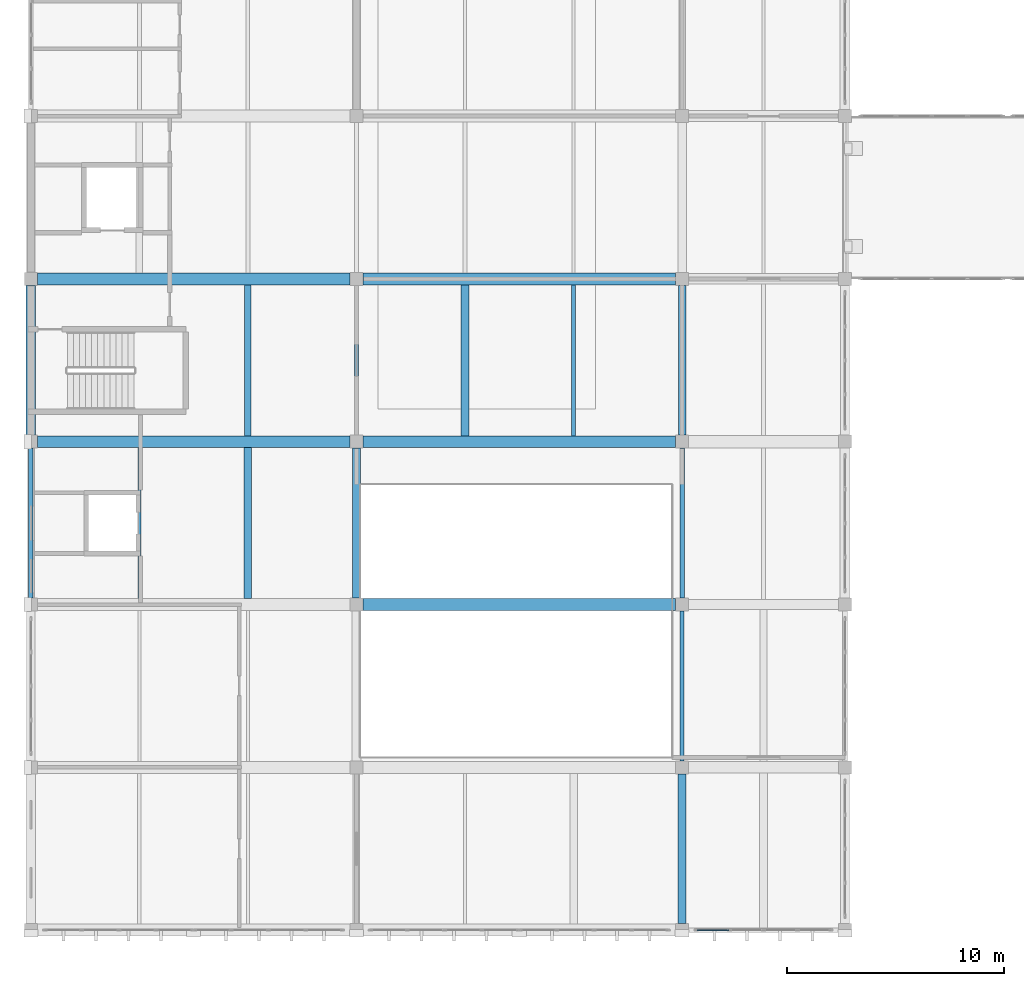
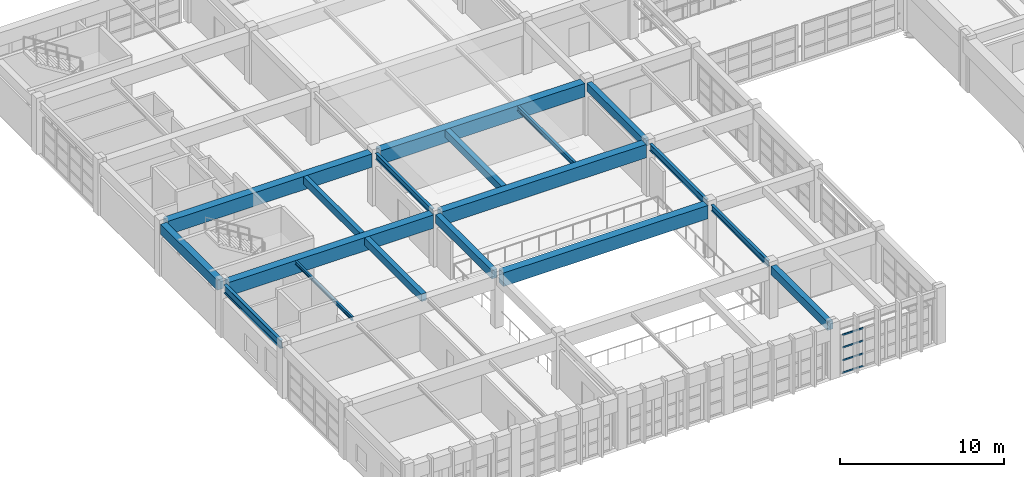
# One storey, part 6 of 124: 18 beams, 4 members, 1 element without a shape of its own.
"""IFC4 building model written with IfcOpenShell, lengths in metres."""

from ifc_helpers import new_model, si_unit, direction, frame, origin, origin_2d, place, context, subcontext, project, spatial, rectangle, hollow_rectangle, i_section, extrude, material, material_profile, profile_set, type_object, element, aggregate, save


model = new_model("IFC4")

# Units and contexts
model_context = context("Model", 3, precision=1e-05, world=origin(), true_north=direction((0.0, 1.0)))
body_context = subcontext(model_context, "Body", "Model", "MODEL_VIEW")
ifc_project = project(units=[si_unit("LENGTHUNIT", "METRE"), si_unit("AREAUNIT", "SQUARE_METRE"), si_unit("VOLUMEUNIT", "CUBIC_METRE"), si_unit("PLANEANGLEUNIT", "RADIAN"), si_unit("MASSUNIT", "GRAM", prefix="KILO")], contexts=[model_context])

# Site, building, storey
site_placement = place(None, origin())
site = spatial("IfcSite", under=ifc_project, at=site_placement, CompositionType="ELEMENT")
building_placement = place(site_placement, origin())
building = spatial("IfcBuilding", under=site, at=building_placement, Name="Qasida Concert Hall", CompositionType="ELEMENT")
storey_placement = place(building_placement, frame((0.0, 0.0, 9.0)))
storey = spatial("IfcBuildingStorey", under=building, at=storey_placement, Name="L02", CompositionType="ELEMENT", Elevation=9.0)

# Beams
ifc_material_1 = material(Name="Concrete C40/50", Category="concrete")
ifc_material_profile_1 = material_profile(ifc_material_1, rectangle(XDim=0.3798828125, YDim=0.6201171875, at=origin_2d()), Name="RC 380x620")
ifc_profile_set_1 = profile_set([ifc_material_profile_1], Name="Concrete C40/50")
beam_type_1 = type_object("IfcBeamType", Name="BM-B10", PredefinedType="BEAM", material=ifc_profile_set_1)
for number, where, z_axis, x_axis, name in (
    (1, (15.0, 15.300048828125, 3.590087890625), (0.0, 1.0, 0.0), (-1.0, 0.0, 0.0), "L02 girder 1302"),
    (2, (30.0, 0.300048828125, 3.590087890625), (0.0, 1.0, 0.0), (-1.0, 0.0, 0.0), "L02 girder 1307"),
):
    element("IfcBeam", number, at=place(storey_placement, frame(where, z_axis=z_axis, x_axis=x_axis)), inside=storey, type_object=beam_type_1, Name=name, PredefinedType="BEAM", context=body_context, shape_type="SweptSolid", body=[
        extrude(rectangle(XDim=0.3798828125, YDim=0.6201171875, at=origin_2d()), origin(), (0.0, 0.0, 1.0), 6.89990234375),
    ])
ifc_material_profile_2 = material_profile(ifc_material_1, rectangle(XDim=0.35009765625, YDim=0.60009765625, at=origin_2d()), Name="RC 350x600")
ifc_profile_set_2 = profile_set([ifc_material_profile_2], Name="Concrete C40/50")
beam_type_2 = type_object("IfcBeamType", Name="BM-B2", PredefinedType="BEAM", material=ifc_profile_set_2)
beam_1_placement = place(storey_placement, frame((30.0, 22.800048828125, 3.60009765625), z_axis=(0.0, 1.0, 0.0), x_axis=(-1.0, 0.0, 0.0)))
element("IfcBeam", 3, at=beam_1_placement, inside=storey, type_object=beam_type_2, Name="L02 girder 1310", PredefinedType="BEAM", context=body_context, shape_type="SweptSolid", body=[
    extrude(rectangle(XDim=0.35009765625, YDim=0.60009765625, at=origin_2d()), origin(), (0.0, 0.0, 1.0), 6.89990234375),
])
ifc_material_2 = material(Name="Steel S355J2", Category="steel")
ifc_material_profile_3 = material_profile(ifc_material_2, i_section(OverallWidth=0.199951171875, OverallDepth=0.5, WebThickness=0.01025390625, FlangeThickness=0.01611328125, FilletRadius=0.02099609375, at=origin_2d()), Name="IPE 500")
ifc_profile_set_3 = profile_set([ifc_material_profile_3], Name="Steel S355J2")
beam_type_3 = type_object("IfcBeamType", Name="BM-B4", PredefinedType="BEAM", material=ifc_profile_set_3)
beam_2_placement = place(storey_placement, frame((30.0, 15.300048828125, 3.64990234375), z_axis=(0.0, 1.0, 0.0), x_axis=(-1.0, 0.0, 0.0)))
element("IfcBeam", 4, at=beam_2_placement, inside=storey, type_object=beam_type_3, Name="L02 girder 1309", PredefinedType="BEAM", context=body_context, shape_type="SweptSolid", body=[
    extrude(i_section(OverallWidth=0.199951171875, OverallDepth=0.5, WebThickness=0.01025390625, FlangeThickness=0.01611328125, FilletRadius=0.02099609375, at=origin_2d()), origin(), (0.0, 0.0, 1.0), 6.89990234375),
])
ifc_material_profile_4 = material_profile(ifc_material_2, i_section(OverallWidth=0.18994140625, OverallDepth=0.449951171875, WebThickness=0.009521484375, FlangeThickness=0.0146484375, FilletRadius=0.02099609375, at=origin_2d()), Name="IPE 450")
ifc_profile_set_4 = profile_set([ifc_material_profile_4], Name="Steel S355J2")
beam_type_4 = type_object("IfcBeamType", Name="BM-B5", PredefinedType="BEAM", material=ifc_profile_set_4)
for number, where, z_axis, x_axis, name in (
    (5, (15.0, 22.800048828125, 3.675048828125), (0.0, 1.0, 0.0), (-1.0, 0.0, 0.0), "L02 girder 1303"),
    (6, (30.0, 7.800048828125, 3.675048828125), (0.0, 1.0, 0.0), (-1.0, 0.0, 0.0), "L02 girder 1308"),
):
    element("IfcBeam", number, at=place(storey_placement, frame(where, z_axis=z_axis, x_axis=x_axis)), inside=storey, type_object=beam_type_4, Name=name, PredefinedType="BEAM", context=body_context, shape_type="SweptSolid", body=[
        extrude(i_section(OverallWidth=0.18994140625, OverallDepth=0.449951171875, WebThickness=0.009521484375, FlangeThickness=0.0146484375, FilletRadius=0.02099609375, at=origin_2d()), origin(), (0.0, 0.0, 1.0), 6.89990234375),
    ])
ifc_material_profile_5 = material_profile(ifc_material_1, rectangle(XDim=0.550048828125, YDim=1.0, at=origin_2d()), Name="RC 550x1000")
ifc_profile_set_5 = profile_set([ifc_material_profile_5], Name="Concrete C40/50")
beam_type_5 = type_object("IfcBeamType", Name="BM-G3", PredefinedType="USERDEFINED", material=ifc_profile_set_5)
for number, where, z_axis, x_axis, name in (
    (7, (15.300048828125, 15.0, 3.39990234375), (1.0, 0.0, 0.0), (0.0, 1.0, 0.0), "Primary girder 1276"),
    (8, (0.300048828125, 22.5, 3.39990234375), (1.0, 0.0, 0.0), (0.0, 1.0, 0.0), "Primary girder 1278"),
    (9, (15.300048828125, 22.5, 3.39990234375), (1.0, 0.0, 0.0), (0.0, 1.0, 0.0), "Primary girder 1279"),
    (10, (0.300048828125, 30.0, 3.39990234375), (1.0, 0.0, 0.0), (0.0, 1.0, 0.0), "Primary girder 1281"),
    (11, (15.300048828125, 30.0, 3.39990234375), (1.0, 0.0, 0.0), (0.0, 1.0, 0.0), "Primary girder 1282"),
):
    element("IfcBeam", number, at=place(storey_placement, frame(where, z_axis=z_axis, x_axis=x_axis)), inside=storey, type_object=beam_type_5, Name=name, ObjectType="GIRDER", PredefinedType="USERDEFINED", context=body_context, shape_type="SweptSolid", body=[
        extrude(rectangle(XDim=0.550048828125, YDim=1.0, at=origin_2d()), origin(), (0.0, 0.0, 1.0), 14.39990234375),
    ])
ifc_material_profile_6 = material_profile(ifc_material_1, rectangle(XDim=0.300048828125, YDim=0.550048828125, at=origin_2d()), Name="RC 300x550")
ifc_profile_set_6 = profile_set([ifc_material_profile_6], Name="Concrete C40/50")
beam_type_6 = type_object("IfcBeamType", Name="BM-J1", PredefinedType="JOIST", material=ifc_profile_set_6)
beam_3_placement = place(storey_placement, frame((10.0, 22.77490234375, 3.625), z_axis=(0.0, 1.0, 0.0), x_axis=(-1.0, 0.0, 0.0)))
element("IfcBeam", 12, at=beam_3_placement, inside=storey, type_object=beam_type_6, Name="L02 secondary joist 1327", PredefinedType="JOIST", context=body_context, shape_type="SweptSolid", body=[
    extrude(rectangle(XDim=0.300048828125, YDim=0.550048828125, at=origin_2d()), origin(), (0.0, 0.0, 1.0), 6.9501953125),
])
ifc_material_profile_7 = material_profile(ifc_material_2, i_section(OverallWidth=0.169921875, OverallDepth=0.360107421875, WebThickness=0.008056640625, FlangeThickness=0.0126953125, FilletRadius=0.01806640625, at=origin_2d()), Name="IPE 360")
ifc_profile_set_7 = profile_set([ifc_material_profile_7], Name="Steel S355J2")
beam_type_7 = type_object("IfcBeamType", Name="BM-J2", PredefinedType="JOIST", material=ifc_profile_set_7)
beam_4_placement = place(storey_placement, frame((25.0, 22.77490234375, 3.719970703125), z_axis=(0.0, 1.0, 0.0), x_axis=(-1.0, 0.0, 0.0)))
element("IfcBeam", 13, at=beam_4_placement, inside=storey, type_object=beam_type_7, Name="L02 secondary joist 1336", PredefinedType="JOIST", context=body_context, shape_type="SweptSolid", body=[
    extrude(i_section(OverallWidth=0.169921875, OverallDepth=0.360107421875, WebThickness=0.008056640625, FlangeThickness=0.0126953125, FilletRadius=0.01806640625, at=origin_2d()), origin(), (0.0, 0.0, 1.0), 6.9501953125),
])
ifc_material_profile_8 = material_profile(ifc_material_2, i_section(OverallWidth=0.135009765625, OverallDepth=0.27001953125, WebThickness=0.006591796875, FlangeThickness=0.01025390625, FilletRadius=0.014892578125, at=origin_2d()), Name="IPE 270")
ifc_profile_set_8 = profile_set([ifc_material_profile_8], Name="Steel S355J2")
beam_type_8 = type_object("IfcBeamType", Name="BM-J6", PredefinedType="JOIST", material=ifc_profile_set_8)
beam_5_placement = place(storey_placement, frame((5.0, 15.27490234375, 3.764892578125), z_axis=(0.0, 1.0, 0.0), x_axis=(-1.0, 0.0, 0.0)))
element("IfcBeam", 14, at=beam_5_placement, inside=storey, type_object=beam_type_8, Name="L02 secondary joist 1325", PredefinedType="JOIST", context=body_context, shape_type="SweptSolid", body=[
    extrude(i_section(OverallWidth=0.135009765625, OverallDepth=0.27001953125, WebThickness=0.006591796875, FlangeThickness=0.01025390625, FilletRadius=0.014892578125, at=origin_2d()), origin(), (0.0, 0.0, 1.0), 6.9501953125),
])
ifc_material_profile_9 = material_profile(ifc_material_1, rectangle(XDim=0.35009765625, YDim=0.550048828125, at=origin_2d()), Name="RC 350x550")
ifc_profile_set_9 = profile_set([ifc_material_profile_9], Name="Concrete C40/50")
beam_type_9 = type_object("IfcBeamType", Name="BM-J8", PredefinedType="JOIST", material=ifc_profile_set_9)
for number, where, z_axis, x_axis, name in (
    (15, (10.0, 15.27490234375, 3.625), (0.0, 1.0, 0.0), (-1.0, 0.0, 0.0), "L02 secondary joist 1326"),
    (16, (20.0, 22.77490234375, 3.625), (0.0, 1.0, 0.0), (-1.0, 0.0, 0.0), "L02 secondary joist 1335"),
):
    element("IfcBeam", number, at=place(storey_placement, frame(where, z_axis=z_axis, x_axis=x_axis)), inside=storey, type_object=beam_type_9, Name=name, PredefinedType="JOIST", context=body_context, shape_type="SweptSolid", body=[
        extrude(rectangle(XDim=0.35009765625, YDim=0.550048828125, at=origin_2d()), origin(), (0.0, 0.0, 1.0), 6.9501953125),
    ])
ifc_material_profile_10 = material_profile(ifc_material_2, i_section(OverallWidth=0.219970703125, OverallDepth=0.60009765625, WebThickness=0.011962890625, FlangeThickness=0.01904296875, FilletRadius=0.02392578125, at=origin_2d()), Name="IPE 600")
ifc_profile_set_10 = profile_set([ifc_material_profile_10], Name="Steel S355J2")
beam_type_10 = type_object("IfcBeamType", Name="BM-SP3", PredefinedType="SPANDREL", material=ifc_profile_set_10)
beam_6_placement = place(storey_placement, frame((0.0, 15.300048828125, 3.60009765625), z_axis=(0.0, 1.0, 0.0), x_axis=(-1.0, 0.0, 0.0)))
element("IfcBeam", 17, at=beam_6_placement, inside=storey, type_object=beam_type_10, Name="L02 girder 1295", PredefinedType="SPANDREL", context=body_context, shape_type="SweptSolid", body=[
    extrude(i_section(OverallWidth=0.219970703125, OverallDepth=0.60009765625, WebThickness=0.011962890625, FlangeThickness=0.01904296875, FilletRadius=0.02392578125, at=origin_2d()), origin(), (0.0, 0.0, 1.0), 6.89990234375),
])
ifc_material_profile_11 = material_profile(ifc_material_1, rectangle(XDim=0.449951171875, YDim=0.75, at=origin_2d()), Name="RC 450x750")
ifc_profile_set_11 = profile_set([ifc_material_profile_11], Name="Concrete C40/50")
beam_type_11 = type_object("IfcBeamType", Name="BM-SP4", PredefinedType="SPANDREL", material=ifc_profile_set_11)
beam_7_placement = place(storey_placement, frame((0.0, 22.800048828125, 3.52490234375), z_axis=(0.0, 1.0, 0.0), x_axis=(-1.0, 0.0, 0.0)))
element("IfcBeam", 18, at=beam_7_placement, inside=storey, type_object=beam_type_11, Name="L02 girder 1296", PredefinedType="SPANDREL", context=body_context, shape_type="SweptSolid", body=[
    extrude(rectangle(XDim=0.449951171875, YDim=0.75, at=origin_2d()), origin(), (0.0, 0.0, 1.0), 6.89990234375),
])

# Curtain wall, members
ifc_material_3 = material(Name="Architectural bronze-anodized aluminium and low-E glass", Category="aluminium")
curtain_wall_type = type_object("IfcCurtainWallType", Name="CW-08", PredefinedType="NOTDEFINED", material=ifc_material_3)
curtain_wall_placement = place(storey_placement, origin())
curtain_wall = element("IfcCurtainWall", 19, at=curtain_wall_placement, inside=storey, type_object=curtain_wall_type, Name="L02 curtain wall CW-08 0107", PredefinedType="NOTDEFINED")
ifc_material_4 = material(Name="Architectural bronze-anodized aluminium EN AW-6063", Category="aluminium")
ifc_material_profile_12 = material_profile(ifc_material_4, hollow_rectangle(XDim=0.06005859375, YDim=0.1201171875, WallThickness=0.00390625, InnerFilletRadius=0.00390625, OuterFilletRadius=0.008056640625, at=origin_2d()), Name="CWT 120x60x4")
ifc_profile_set_12 = profile_set([ifc_material_profile_12], Name="Architectural bronze-anodized aluminium EN AW-6063")
member_type = type_object("IfcMemberType", Name="MB-CWT-2", PredefinedType="USERDEFINED", material=ifc_profile_set_12)
member_1_placement = place(storey_placement, frame((30.68505859375, 0.0, 0.030029296875), z_axis=(1.0, 0.0, 0.0), x_axis=(0.0, 1.0, 0.0)))
member_1 = element("IfcMember", 20, at=member_1_placement, type_object=member_type, Name="CW-08 transom 1.1", ObjectType="TRANSOM", PredefinedType="USERDEFINED", context=body_context, shape_type="SweptSolid", body=[
    extrude(hollow_rectangle(XDim=0.06005859375, YDim=0.1201171875, WallThickness=0.00390625, InnerFilletRadius=0.00390625, OuterFilletRadius=0.008056640625, at=origin_2d()), origin(), (0.0, 0.0, 1.0), 1.467529296875),
])
member_2_placement = place(storey_placement, frame((30.68505859375, 0.0, 0.956787109375), z_axis=(1.0, 0.0, 0.0), x_axis=(0.0, 1.0, 0.0)))
member_2 = element("IfcMember", 21, at=member_2_placement, type_object=member_type, Name="CW-08 transom 1.2", ObjectType="TRANSOM", PredefinedType="USERDEFINED", context=body_context, shape_type="SweptSolid", body=[
    extrude(hollow_rectangle(XDim=0.06005859375, YDim=0.1201171875, WallThickness=0.00390625, InnerFilletRadius=0.00390625, OuterFilletRadius=0.008056640625, at=origin_2d()), origin(), (0.0, 0.0, 1.0), 1.467529296875),
])
member_3_placement = place(storey_placement, frame((30.68505859375, 0.0, 1.913330078125), z_axis=(1.0, 0.0, 0.0), x_axis=(0.0, 1.0, 0.0)))
member_3 = element("IfcMember", 22, at=member_3_placement, type_object=member_type, Name="CW-08 transom 1.3", ObjectType="TRANSOM", PredefinedType="USERDEFINED", context=body_context, shape_type="SweptSolid", body=[
    extrude(hollow_rectangle(XDim=0.06005859375, YDim=0.1201171875, WallThickness=0.00390625, InnerFilletRadius=0.00390625, OuterFilletRadius=0.008056640625, at=origin_2d()), origin(), (0.0, 0.0, 1.0), 1.467529296875),
])
member_4_placement = place(storey_placement, frame((30.68505859375, 0.0, 2.840087890625), z_axis=(1.0, 0.0, 0.0), x_axis=(0.0, 1.0, 0.0)))
member_4 = element("IfcMember", 23, at=member_4_placement, type_object=member_type, Name="CW-08 transom 1.4", ObjectType="TRANSOM", PredefinedType="USERDEFINED", context=body_context, shape_type="SweptSolid", body=[
    extrude(hollow_rectangle(XDim=0.06005859375, YDim=0.1201171875, WallThickness=0.00390625, InnerFilletRadius=0.00390625, OuterFilletRadius=0.008056640625, at=origin_2d()), origin(), (0.0, 0.0, 1.0), 1.467529296875),
])
aggregate(curtain_wall, [member_1, member_2, member_3, member_4])

save(model, "model.ifc")
